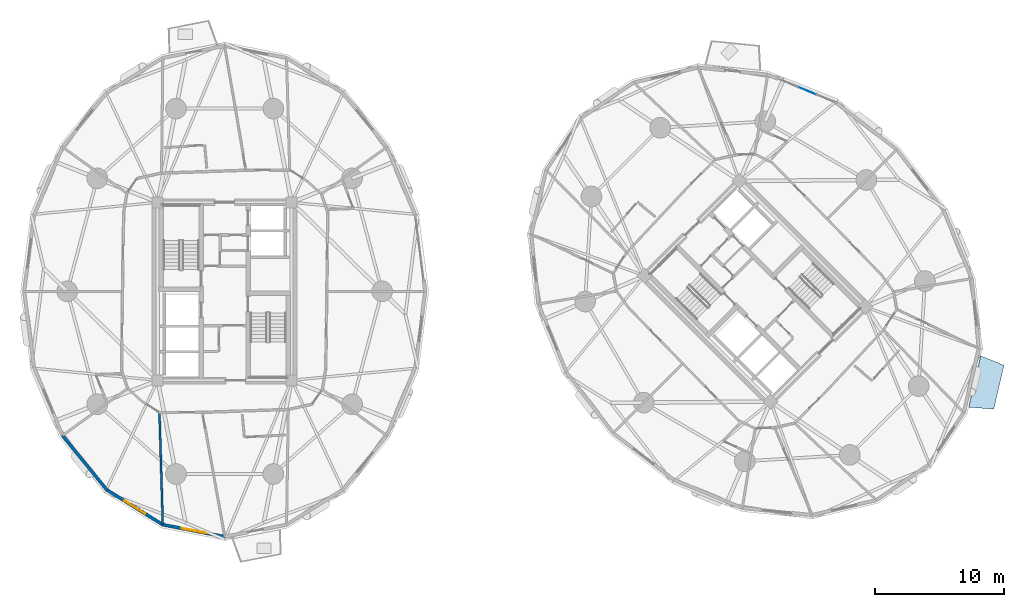
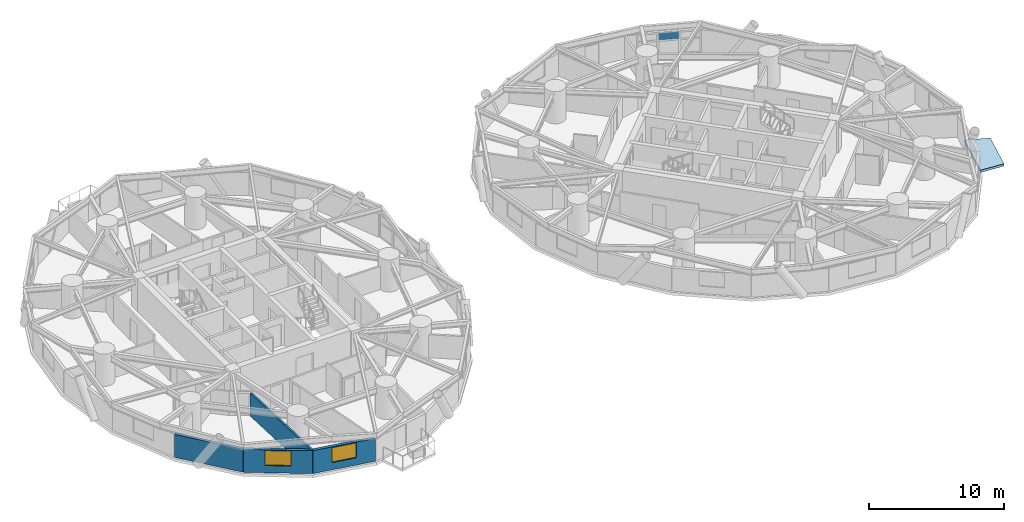
# One storey, part 8 of 19: 4 walls, 2 windows, 1 plate, 1 slab, 2 openings, 1 element without a shape of its own.
"""IFC4 building model written with IfcOpenShell, lengths in metres."""

from ifc_helpers import new_model, si_unit, direction, frame, frame_2d, origin, origin_2d, place, context, subcontext, project, spatial, polyline, rectangle, outline, extrude, source, transform, mapped, material, layer, layer_set, type_object, element, fill, aggregate, save


model = new_model("IFC4")

# Units and contexts
model_context = context("Model", 3, precision=1e-05, world=origin(), true_north=direction((0.0, 1.0)))
body_context = subcontext(model_context, "Body", "Model", "MODEL_VIEW")
ifc_project = project(units=[si_unit("LENGTHUNIT", "METRE"), si_unit("AREAUNIT", "SQUARE_METRE"), si_unit("VOLUMEUNIT", "CUBIC_METRE"), si_unit("PLANEANGLEUNIT", "RADIAN"), si_unit("MASSUNIT", "GRAM", prefix="KILO")], contexts=[model_context])

# Site, building, storey
site_placement = place(None, origin())
site = spatial("IfcSite", under=ifc_project, at=site_placement, CompositionType="ELEMENT")
building_placement = place(site_placement, origin())
building = spatial("IfcBuilding", under=site, at=building_placement, Name="Cununo Teusaquillo Station Towers", CompositionType="ELEMENT")
storey_placement = place(building_placement, frame((0.0, 0.0, 33.639892578125)))
storey = spatial("IfcBuildingStorey", under=building, at=storey_placement, Name="L09", CompositionType="ELEMENT", Elevation=33.639892578125)

# Slab
ifc_material_1 = material(Name="Concrete C50/60", Category="concrete")
ifc_layer_1 = layer(ifc_material_1, 0.2099609375)
ifc_layer_set_1 = layer_set([ifc_layer_1], Name="Concrete C50/60")
slab_type = type_object("IfcSlabType", Name="SLB-BAL-210", PredefinedType="FLOOR", material=ifc_layer_set_1)
slab_placement = place(storey_placement, frame((0.0, 0.0, -0.2099609375)))
element("IfcSlab", 1, at=slab_placement, inside=storey, type_object=slab_type, Name="L09 Tower B Tree Balcony Slab 2", PredefinedType="FLOOR", context=body_context, shape_type="SweptSolid", body=[
    extrude(outline(polyline([(74.023193359375, 15.536865234375), (74.9501953125, 19.50927734375), (76.7470703125, 18.781982421875), (75.956298828125, 15.393798828125), (74.023193359375, 15.536865234375)])), origin(), (0.0, 0.0, 1.0), 0.2099609375),
])

# Curtain wall, plate
ifc_material_2 = material(Name="Ceramic-fritted dark low-E double glazing", Category="glass")
ifc_layer_2 = layer(ifc_material_2, 0.179931640625)
ifc_layer_set_2 = layer_set([ifc_layer_2], Name="Ceramic-fritted dark low-E double glazing")
curtain_wall_type = type_object("IfcCurtainWallType", Name="CW-SYS-02", PredefinedType="USERDEFINED", material=ifc_layer_set_2)
curtain_wall_placement = place(storey_placement, origin())
curtain_wall = element("IfcCurtainWall", 2, at=curtain_wall_placement, inside=storey, type_object=curtain_wall_type, Name="L09 Tower B Facade Curtain Wall C01", ObjectType="FRITTED GLAZING", PredefinedType="USERDEFINED")
ifc_material_3 = material(Name="Ceramic-fritted dark low-E double glazing", Category="glass")
ifc_layer_3 = layer(ifc_material_3, 0.028076171875)
ifc_layer_set_3 = layer_set([ifc_layer_3], Name="Ceramic-fritted dark low-E double glazing")
plate_type = type_object("IfcPlateType", Name="CWP-FRIT-28", PredefinedType="CURTAIN_PANEL", material=ifc_layer_set_3)
shared_shape_1 = source(origin(), body_context, "Body", "SweptSolid", [
    extrude(rectangle(XDim=1.555908203125, YDim=0.028076171875, at=origin_2d()), origin(), (0.0, 0.0, 1.0), 0.62109375),
])
plate_placement = place(storey_placement, frame((61.52294921875, 39.99755859375, 1.382080078125), z_axis=(0.0, 0.0, 1.0), x_axis=(0.924552379146, -0.381054980568, 0.0)))
plate = element("IfcPlate", 3, at=plate_placement, type_object=plate_type, Name="CW-02 panel 2.2", PredefinedType="CURTAIN_PANEL", context=body_context, shape_type="MappedRepresentation", body=[
    mapped(shared_shape_1, transform((0.0, 0.0, 0.0), x_axis=(1.0, 0.0, 0.0), y_axis=(0.0, 1.0, 0.0), z_axis=(0.0, 0.0, 1.0), scale=1.0)),
])
aggregate(curtain_wall, [plate])

# Wall
ifc_material_4 = material(Name="Precast concrete C40/50", Category="concrete")
ifc_layer_4 = layer(ifc_material_4, 0.239990234375)
ifc_layer_set_4 = layer_set([ifc_layer_4], Name="Precast concrete C40/50")
wall_type_1 = type_object("IfcWallType", Name="WL-EXT-240", PredefinedType="SOLIDWALL", material=ifc_layer_set_4)
wall_1_placement = place(storey_placement, frame((7.389892578125, 9.15283203125, 0.0), z_axis=(0.0, 0.0, 1.0), x_axis=(-0.632710215588, 0.774388651189, 0.0)))
element("IfcWall", 4, at=wall_1_placement, inside=storey, type_object=wall_type_1, Name="L09 Tower A Exterior Facade Wall C12", PredefinedType="SOLIDWALL", context=body_context, shape_type="SweptSolid", body=[
    extrude(rectangle(XDim=5.41943359375, YDim=0.239990234375, at=frame_2d((2.709716796875, 0.0))), origin(), (0.0, 0.0, 1.0), 2.072998046875),
])

# Wall, opening, window
wall_2_placement = place(storey_placement, frame((11.71044921875, 6.45849609375, 0.0), z_axis=(0.0, 0.0, 1.0), x_axis=(-0.848528534887, 0.529149624853, 0.0)))
wall_2 = element("IfcWall", 5, at=wall_2_placement, inside=storey, type_object=wall_type_1, Name="L09 Tower A Exterior Facade Wall C13", PredefinedType="SOLIDWALL", context=body_context, shape_type="SweptSolid", body=[
    extrude(rectangle(XDim=5.091796875, YDim=0.239990234375, at=frame_2d((2.5458984375, 0.0))), origin(), (0.0, 0.0, 1.0), 2.072998046875),
])
shared_shape_2 = source(origin(), body_context, "Body", "SweptSolid", [
    extrude(rectangle(XDim=1.89990234375, YDim=1.35009765625, at=frame_2d((0.949951171875, 0.675048828125))), frame((0.0, 0.1298828125, 0.0), z_axis=(0.0, -1.0, 0.0), x_axis=(1.0, 0.0, 0.0)), (0.0, 0.0, 1.0), 0.260009765625),
])
opening_1_placement = place(wall_2_placement, frame((1.595947265625, 0.0, 0.64990234375)))
opening_1 = element("IfcOpeningElement", 6, at=opening_1_placement, cuts=wall_2, Name="Opening WN-02", PredefinedType="OPENING", context=body_context, shape_type="MappedRepresentation", body=[
    mapped(shared_shape_2, transform((0.0, 0.0, 0.0), x_axis=(1.0, 0.0, 0.0), y_axis=(0.0, 1.0, 0.0), z_axis=(0.0, 0.0, 1.0), scale=1.0)),
])
ifc_material_5 = material(Name="Operable acoustic tinted low-E double glazing", Category="glass")
window_type = type_object("IfcWindowType", Name="WIN-OPER-1900", PartitioningType="DOUBLE_PANEL_VERTICAL", PredefinedType="WINDOW", material=ifc_material_5)
shared_shape_3 = source(origin(), body_context, "Body", "SweptSolid", [
    extrude(rectangle(XDim=1.89990234375, YDim=1.35009765625, at=frame_2d((0.949951171875, 0.675048828125))), frame((0.0, 0.030029296875, 0.0), z_axis=(0.0, -1.0, 0.0), x_axis=(1.0, 0.0, 0.0)), (0.0, 0.0, 1.0), 0.06005859375),
])
window_1_placement = place(opening_1_placement, origin())
window_1 = element("IfcWindow", 7, at=window_1_placement, inside=storey, type_object=window_type, Name="L09 Tower A Facade Window C13", OverallHeight=1.35009765625, OverallWidth=1.89990234375, PartitioningType="DOUBLE_PANEL_VERTICAL", PredefinedType="WINDOW", context=body_context, shape_type="MappedRepresentation", body=[
    mapped(shared_shape_3, transform((0.0, 0.0, 0.0), x_axis=(1.0, 0.0, 0.0), y_axis=(0.0, 1.0, 0.0), z_axis=(0.0, 0.0, 1.0), scale=1.0)),
])
fill(opening_1, window_1)

wall_3_placement = place(storey_placement, frame((16.5, 5.530029296875, 0.0), z_axis=(0.0, 0.0, 1.0), x_axis=(-0.981724094622, 0.190309752872, 0.0)))
wall_3 = element("IfcWall", 8, at=wall_3_placement, inside=storey, type_object=wall_type_1, Name="L09 Tower A Exterior Facade Wall C14", PredefinedType="SOLIDWALL", context=body_context, shape_type="SweptSolid", body=[
    extrude(rectangle(XDim=4.878662109375, YDim=0.239990234375, at=frame_2d((2.439453125, 0.0))), origin(), (0.0, 0.0, 1.0), 2.072998046875),
])
opening_2_placement = place(wall_3_placement, frame((1.489013671875, 0.0, 0.64990234375)))
opening_2 = element("IfcOpeningElement", 9, at=opening_2_placement, cuts=wall_3, Name="Opening WN-02", PredefinedType="OPENING", context=body_context, shape_type="MappedRepresentation", body=[
    mapped(shared_shape_2, transform((0.0, 0.0, 0.0), x_axis=(1.0, 0.0, 0.0), y_axis=(0.0, 1.0, 0.0), z_axis=(0.0, 0.0, 1.0), scale=1.0)),
])
window_2_placement = place(opening_2_placement, origin())
window_2 = element("IfcWindow", 10, at=window_2_placement, inside=storey, type_object=window_type, Name="L09 Tower A Facade Window C14", OverallHeight=1.35009765625, OverallWidth=1.89990234375, PartitioningType="DOUBLE_PANEL_VERTICAL", PredefinedType="WINDOW", context=body_context, shape_type="MappedRepresentation", body=[
    mapped(shared_shape_3, transform((0.0, 0.0, 0.0), x_axis=(1.0, 0.0, 0.0), y_axis=(0.0, 1.0, 0.0), z_axis=(0.0, 0.0, 1.0), scale=1.0)),
])
fill(opening_2, window_2)

# Wall
ifc_material_6 = material(Name="Fire-rated gypsum plasterboard partition assembly", Category="gypsum")
ifc_layer_5 = layer(ifc_material_6, 0.159912109375)
ifc_layer_set_5 = layer_set([ifc_layer_5], Name="Fire-rated gypsum plasterboard partition assembly")
wall_type_2 = type_object("IfcWallType", Name="WL-PART-160", PredefinedType="PARTITIONING", material=ifc_layer_set_5)
wall_4_placement = place(storey_placement, frame((11.459716796875, 15.128662109375, 0.0), z_axis=(0.0, 0.0, 1.0), x_axis=(0.029703270067, -0.999558760528, 0.0)))
element("IfcWall", 11, at=wall_4_placement, inside=storey, type_object=wall_type_2, Name="L09 Tower A Radial Suite Partition R08", PredefinedType="PARTITIONING", context=body_context, shape_type="SweptSolid", body=[
    extrude(rectangle(XDim=8.655029296875, YDim=0.159912109375, at=frame_2d((4.32763671875, 0.0))), origin(), (0.0, 0.0, 1.0), 2.072998046875),
])

save(model, "model.ifc")
